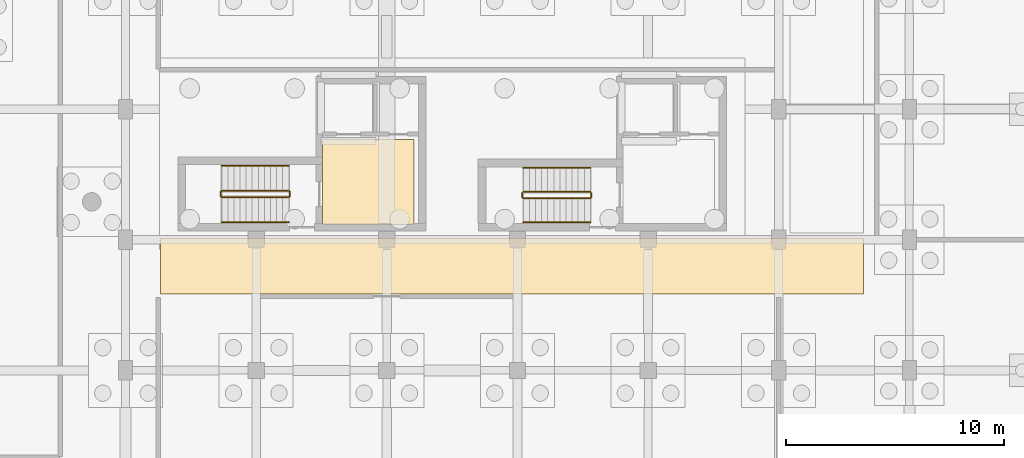
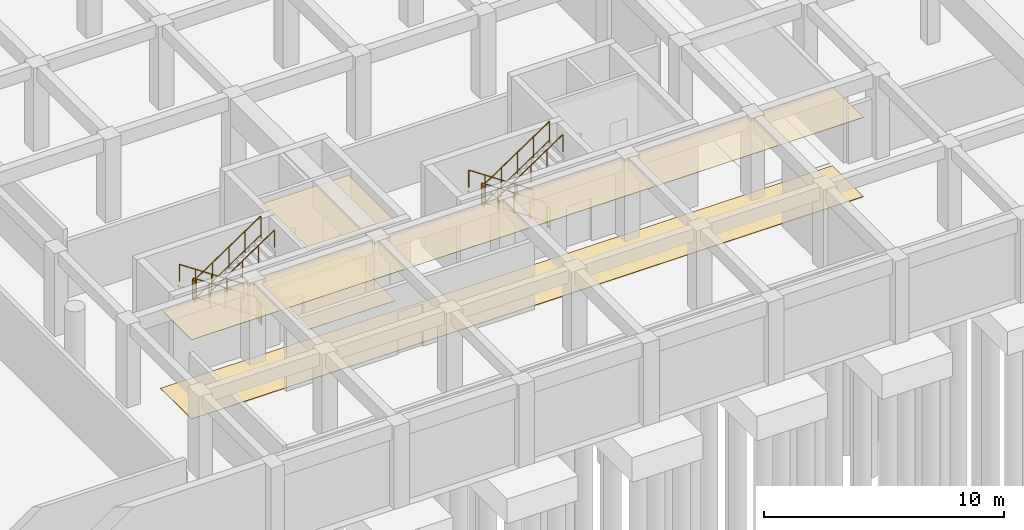
# One storey, part 37 of 41: 12 railings, 4 coverings.
"""IFC4 building model written with IfcOpenShell, lengths in metres."""

from ifc_helpers import new_model, si_unit, direction, frame, origin, origin_2d, place, context, subcontext, project, spatial, polyline, circle, outline, extrude, material, layer, layer_set, type_object, element, save


model = new_model("IFC4")

# Units and contexts
model_context = context("Model", 3, precision=1e-05, world=origin(), true_north=direction((0.0, 1.0)))
body_context = subcontext(model_context, "Body", "Model", "MODEL_VIEW")
ifc_project = project(units=[si_unit("LENGTHUNIT", "METRE"), si_unit("AREAUNIT", "SQUARE_METRE"), si_unit("VOLUMEUNIT", "CUBIC_METRE"), si_unit("PLANEANGLEUNIT", "RADIAN"), si_unit("MASSUNIT", "GRAM", prefix="KILO"), si_unit("POWERUNIT", "WATT"), si_unit("THERMODYNAMICTEMPERATUREUNIT", "KELVIN")], contexts=[model_context])

# Site, building, storey
site_placement = place(None, origin())
site = spatial("IfcSite", under=ifc_project, at=site_placement, CompositionType="ELEMENT")
building_placement = place(site_placement, origin())
building = spatial("IfcBuilding", under=site, at=building_placement, Name="Ruvembo Vaulted Housing Court", CompositionType="ELEMENT")
storey_placement = place(building_placement, frame((0.0, 0.0, -4.5)))
storey = spatial("IfcBuildingStorey", under=building, at=storey_placement, Name="B1", CompositionType="ELEMENT", Elevation=-4.5)

# Coverings
ifc_material_1 = material(Name="Perforated Mineral-Fibre Acoustic Tile", Category="gypsum")
ifc_layer_1 = layer(ifc_material_1, 0.02001953125, Name="Perforated Mineral-Fibre Acoustic Tile")
ifc_layer_set_1 = layer_set([ifc_layer_1], Name="Perforated Mineral-Fibre Acoustic Tile")
covering_type_1 = type_object("IfcCoveringType", Name="COV-CEIL-ACOUST", PredefinedType="CEILING", material=ifc_layer_set_1)
covering_1_placement = place(storey_placement, frame((0.0, 0.0, 4.02001953125)))
element("IfcCovering", 1, at=covering_1_placement, inside=storey, type_object=covering_type_1, Name="Protected Core Lobby C1 Ceiling", PredefinedType="CEILING", context=body_context, shape_type="SweptSolid", body=[
    extrude(outline(polyline([(115.25, 16.60009765625), (111.050048828125, 16.60009765625), (111.050048828125, 12.699951171875), (115.25, 12.699951171875), (115.25, 16.60009765625)])), origin(), (0.0, 0.0, 1.0), 0.02001953125),
])
covering_2_placement = place(storey_placement, frame((0.0, 0.0, 4.02001953125)))
element("IfcCovering", 2, at=covering_2_placement, inside=storey, type_object=covering_type_1, Name="Basement Block C Core Corridor Ceiling", PredefinedType="CEILING", context=body_context, shape_type="SweptSolid", body=[
    extrude(outline(polyline([(103.610107421875, 9.510009765625), (135.889892578125, 9.510009765625), (135.889892578125, 12.090087890625), (103.610107421875, 12.090087890625), (103.610107421875, 9.510009765625)])), origin(), (0.0, 0.0, 1.0), 0.02001953125),
])
ifc_material_2 = material(Name="Polished Cement-Aggregate Terrazzo", Category="stone")
ifc_layer_2 = layer(ifc_material_2, 0.02197265625, Name="Polished Cement-Aggregate Terrazzo")
ifc_layer_set_2 = layer_set([ifc_layer_2], Name="Polished Cement-Aggregate Terrazzo")
covering_type_2 = type_object("IfcCoveringType", Name="COV-FLR-CERAMIC", PredefinedType="FLOORING", material=ifc_layer_set_2)
covering_3_placement = place(storey_placement, origin())
element("IfcCovering", 3, at=covering_3_placement, inside=storey, type_object=covering_type_2, Name="Protected Core Lobby C1 Flooring", PredefinedType="FLOORING", context=body_context, shape_type="SweptSolid", body=[
    extrude(outline(polyline([(115.25, 16.60009765625), (111.050048828125, 16.60009765625), (111.050048828125, 12.699951171875), (115.25, 12.699951171875), (115.25, 16.60009765625)])), origin(), (0.0, 0.0, 1.0), 0.02197265625),
])
covering_4_placement = place(storey_placement, origin())
element("IfcCovering", 4, at=covering_4_placement, inside=storey, type_object=covering_type_2, Name="Basement Block C Core Corridor Flooring", PredefinedType="FLOORING", context=body_context, shape_type="SweptSolid", body=[
    extrude(outline(polyline([(103.610107421875, 9.510009765625), (135.889892578125, 9.510009765625), (135.889892578125, 12.090087890625), (103.610107421875, 12.090087890625), (103.610107421875, 9.510009765625)])), origin(), (0.0, 0.0, 1.0), 0.02197265625),
])

# Railings
ifc_material_3 = material(Name="Painted Galvanised Steel S275", Category="steel")
ifc_layer_3 = layer(ifc_material_3, 0.06005859375, Name="Painted Galvanised Steel S275")
ifc_layer_set_3 = layer_set([ifc_layer_3], Name="Painted Galvanised Steel S275")
railing_type_1 = type_object("IfcRailingType", Name="RL-STAIR-GR1100", PredefinedType="GUARDRAIL", material=ifc_layer_set_3)
railing_1_placement = place(storey_placement, frame((109.5, 14.25, 0.1875)))
element("IfcRailing", 5, at=railing_1_placement, inside=storey, type_object=railing_type_1, Name="B1 ST-C1 stair guard 1", PredefinedType="GUARDRAIL", context=body_context, shape_type="SweptSolid", body=[
    extrude(circle(Radius=0.02392578125, at=origin_2d()), frame((0.0, 0.0, 1.076171875), z_axis=(-0.830913701846, 0.0, 0.55640131208), x_axis=(0.0, -1.0, 0.0)), (0.0, 0.0, 1.0), 3.706787109375),
    extrude(circle(Radius=0.01806640625, at=origin_2d()), frame((0.0, 0.0, 0.1201171875), z_axis=(-0.830913701846, 0.0, 0.55640131208), x_axis=(0.0, -1.0, 0.0)), (0.0, 0.0, 1.0), 3.706787109375),
    extrude(circle(Radius=0.02099609375, at=origin_2d()), origin(), (0.0, 0.0, 1.0), 1.052001953125),
    extrude(circle(Radius=0.02099609375, at=origin_2d()), frame((-0.77001953125, 0.0, 0.515625)), (0.0, 0.0, 1.0), 1.052001953125),
    extrude(circle(Radius=0.02099609375, at=origin_2d()), frame((-1.5400390625, 0.0, 1.03125)), (0.0, 0.0, 1.0), 1.052001953125),
    extrude(circle(Radius=0.02099609375, at=origin_2d()), frame((-2.31005859375, 0.0, 1.546875)), (0.0, 0.0, 1.0), 1.052001953125),
    extrude(circle(Radius=0.02099609375, at=origin_2d()), frame((-3.080078125, 0.0, 2.0625)), (0.0, 0.0, 1.0), 1.052001953125),
])
railing_2_placement = place(storey_placement, frame((106.3701171875, 14.199951171875, 2.25)))
element("IfcRailing", 6, at=railing_2_placement, inside=storey, type_object=railing_type_1, Name="B1 ST-C1 stair guard 2", PredefinedType="GUARDRAIL", context=body_context, shape_type="SweptSolid", body=[
    extrude(circle(Radius=0.02392578125, at=origin_2d()), frame((0.0, 0.0, 1.076171875), z_axis=(0.0, -1.0, 0.0), x_axis=(1.0, 0.0, 0.0)), (0.0, 0.0, 1.0), 0.199951171875),
    extrude(circle(Radius=0.01806640625, at=origin_2d()), frame((0.0, 0.0, 0.1201171875), z_axis=(0.0, -1.0, 0.0), x_axis=(1.0, 0.0, 0.0)), (0.0, 0.0, 1.0), 0.199951171875),
    extrude(circle(Radius=0.02099609375, at=origin_2d()), origin(), (0.0, 0.0, 1.0), 1.052001953125),
    extrude(circle(Radius=0.02099609375, at=origin_2d()), frame((0.0, -0.199951171875, 0.0)), (0.0, 0.0, 1.0), 1.052001953125),
])
railing_3_placement = place(storey_placement, frame((106.419921875, 13.949951171875, 2.4375)))
element("IfcRailing", 7, at=railing_3_placement, inside=storey, type_object=railing_type_1, Name="B1 ST-C1 stair guard 3", PredefinedType="GUARDRAIL", context=body_context, shape_type="SweptSolid", body=[
    extrude(circle(Radius=0.02392578125, at=origin_2d()), frame((0.0, 0.0, 1.076171875), z_axis=(0.830913701846, 0.0, 0.55640131208), x_axis=(0.0, 1.0, 0.0)), (0.0, 0.0, 1.0), 3.706787109375),
    extrude(circle(Radius=0.01806640625, at=origin_2d()), frame((0.0, 0.0, 0.1201171875), z_axis=(0.830913701846, 0.0, 0.55640131208), x_axis=(0.0, 1.0, 0.0)), (0.0, 0.0, 1.0), 3.706787109375),
    extrude(circle(Radius=0.02099609375, at=origin_2d()), origin(), (0.0, 0.0, 1.0), 1.052001953125),
    extrude(circle(Radius=0.02099609375, at=origin_2d()), frame((0.77001953125, 0.0, 0.515625)), (0.0, 0.0, 1.0), 1.052001953125),
    extrude(circle(Radius=0.02099609375, at=origin_2d()), frame((1.5400390625, 0.0, 1.03125)), (0.0, 0.0, 1.0), 1.052001953125),
    extrude(circle(Radius=0.02099609375, at=origin_2d()), frame((2.31005859375, 0.0, 1.546875)), (0.0, 0.0, 1.0), 1.052001953125),
    extrude(circle(Radius=0.02099609375, at=origin_2d()), frame((3.080078125, 0.0, 2.0625)), (0.0, 0.0, 1.0), 1.052001953125),
])
railing_4_placement = place(storey_placement, frame((109.550048828125, 14.199951171875, 0.0)))
element("IfcRailing", 8, at=railing_4_placement, inside=storey, type_object=railing_type_1, Name="B1 ST-C1 stair guard 4", PredefinedType="GUARDRAIL", context=body_context, shape_type="SweptSolid", body=[
    extrude(circle(Radius=0.02392578125, at=origin_2d()), frame((0.0, 0.0, 1.076171875), z_axis=(0.0, -1.0, 0.0), x_axis=(1.0, 0.0, 0.0)), (0.0, 0.0, 1.0), 0.199951171875),
    extrude(circle(Radius=0.01806640625, at=origin_2d()), frame((0.0, 0.0, 0.1201171875), z_axis=(0.0, -1.0, 0.0), x_axis=(1.0, 0.0, 0.0)), (0.0, 0.0, 1.0), 0.199951171875),
    extrude(circle(Radius=0.02099609375, at=origin_2d()), origin(), (0.0, 0.0, 1.0), 1.052001953125),
    extrude(circle(Radius=0.02099609375, at=origin_2d()), frame((0.0, -0.199951171875, 0.0)), (0.0, 0.0, 1.0), 1.052001953125),
])
railing_5_placement = place(storey_placement, frame((123.35009765625, 14.199951171875, 0.1875)))
element("IfcRailing", 9, at=railing_5_placement, inside=storey, type_object=railing_type_1, Name="B1 ST-C2 stair guard 1", PredefinedType="GUARDRAIL", context=body_context, shape_type="SweptSolid", body=[
    extrude(circle(Radius=0.02392578125, at=origin_2d()), frame((0.0, 0.0, 1.076171875), z_axis=(-0.830913701846, 0.0, 0.55640131208), x_axis=(0.0, -1.0, 0.0)), (0.0, 0.0, 1.0), 3.706787109375),
    extrude(circle(Radius=0.01806640625, at=origin_2d()), frame((0.0, 0.0, 0.1201171875), z_axis=(-0.830913701846, 0.0, 0.55640131208), x_axis=(0.0, -1.0, 0.0)), (0.0, 0.0, 1.0), 3.706787109375),
    extrude(circle(Radius=0.02099609375, at=origin_2d()), origin(), (0.0, 0.0, 1.0), 1.052001953125),
    extrude(circle(Radius=0.02099609375, at=origin_2d()), frame((-0.77001953125, 0.0, 0.515625)), (0.0, 0.0, 1.0), 1.052001953125),
    extrude(circle(Radius=0.02099609375, at=origin_2d()), frame((-1.5400390625, 0.0, 1.03125)), (0.0, 0.0, 1.0), 1.052001953125),
    extrude(circle(Radius=0.02099609375, at=origin_2d()), frame((-2.31005859375, 0.0, 1.546875)), (0.0, 0.0, 1.0), 1.052001953125),
    extrude(circle(Radius=0.02099609375, at=origin_2d()), frame((-3.080078125, 0.0, 2.0625)), (0.0, 0.0, 1.0), 1.052001953125),
])
railing_6_placement = place(storey_placement, frame((120.219970703125, 14.14990234375, 2.25)))
element("IfcRailing", 10, at=railing_6_placement, inside=storey, type_object=railing_type_1, Name="B1 ST-C2 stair guard 2", PredefinedType="GUARDRAIL", context=body_context, shape_type="SweptSolid", body=[
    extrude(circle(Radius=0.02392578125, at=origin_2d()), frame((0.0, 0.0, 1.076171875), z_axis=(0.0, -1.0, 0.0), x_axis=(1.0, 0.0, 0.0)), (0.0, 0.0, 1.0), 0.199951171875),
    extrude(circle(Radius=0.01806640625, at=origin_2d()), frame((0.0, 0.0, 0.1201171875), z_axis=(0.0, -1.0, 0.0), x_axis=(1.0, 0.0, 0.0)), (0.0, 0.0, 1.0), 0.199951171875),
    extrude(circle(Radius=0.02099609375, at=origin_2d()), origin(), (0.0, 0.0, 1.0), 1.052001953125),
    extrude(circle(Radius=0.02099609375, at=origin_2d()), frame((0.0, -0.199951171875, 0.0)), (0.0, 0.0, 1.0), 1.052001953125),
])
railing_7_placement = place(storey_placement, frame((120.27001953125, 13.89990234375, 2.4375)))
element("IfcRailing", 11, at=railing_7_placement, inside=storey, type_object=railing_type_1, Name="B1 ST-C2 stair guard 3", PredefinedType="GUARDRAIL", context=body_context, shape_type="SweptSolid", body=[
    extrude(circle(Radius=0.02392578125, at=origin_2d()), frame((0.0, 0.0, 1.076171875), z_axis=(0.830913701846, 0.0, 0.55640131208), x_axis=(0.0, 1.0, 0.0)), (0.0, 0.0, 1.0), 3.706787109375),
    extrude(circle(Radius=0.01806640625, at=origin_2d()), frame((0.0, 0.0, 0.1201171875), z_axis=(0.830913701846, 0.0, 0.55640131208), x_axis=(0.0, 1.0, 0.0)), (0.0, 0.0, 1.0), 3.706787109375),
    extrude(circle(Radius=0.02099609375, at=origin_2d()), origin(), (0.0, 0.0, 1.0), 1.052001953125),
    extrude(circle(Radius=0.02099609375, at=origin_2d()), frame((0.77001953125, 0.0, 0.515625)), (0.0, 0.0, 1.0), 1.052001953125),
    extrude(circle(Radius=0.02099609375, at=origin_2d()), frame((1.5400390625, 0.0, 1.03125)), (0.0, 0.0, 1.0), 1.052001953125),
    extrude(circle(Radius=0.02099609375, at=origin_2d()), frame((2.31005859375, 0.0, 1.546875)), (0.0, 0.0, 1.0), 1.052001953125),
    extrude(circle(Radius=0.02099609375, at=origin_2d()), frame((3.080078125, 0.0, 2.0625)), (0.0, 0.0, 1.0), 1.052001953125),
])
railing_8_placement = place(storey_placement, frame((123.39990234375, 14.14990234375, 0.0)))
element("IfcRailing", 12, at=railing_8_placement, inside=storey, type_object=railing_type_1, Name="B1 ST-C2 stair guard 4", PredefinedType="GUARDRAIL", context=body_context, shape_type="SweptSolid", body=[
    extrude(circle(Radius=0.02392578125, at=origin_2d()), frame((0.0, 0.0, 1.076171875), z_axis=(0.0, -1.0, 0.0), x_axis=(1.0, 0.0, 0.0)), (0.0, 0.0, 1.0), 0.199951171875),
    extrude(circle(Radius=0.01806640625, at=origin_2d()), frame((0.0, 0.0, 0.1201171875), z_axis=(0.0, -1.0, 0.0), x_axis=(1.0, 0.0, 0.0)), (0.0, 0.0, 1.0), 0.199951171875),
    extrude(circle(Radius=0.02099609375, at=origin_2d()), origin(), (0.0, 0.0, 1.0), 1.052001953125),
    extrude(circle(Radius=0.02099609375, at=origin_2d()), frame((0.0, -0.199951171875, 0.0)), (0.0, 0.0, 1.0), 1.052001953125),
])
ifc_material_4 = material(Name="Brushed Stainless Steel 304", Category="steel")
ifc_layer_4 = layer(ifc_material_4, 0.050048828125, Name="Brushed Stainless Steel 304")
ifc_layer_set_4 = layer_set([ifc_layer_4], Name="Brushed Stainless Steel 304")
railing_type_2 = type_object("IfcRailingType", Name="RL-STAIR-HR920", PredefinedType="HANDRAIL", material=ifc_layer_set_4)
railing_9_placement = place(storey_placement, frame((109.5, 15.39990234375, 0.379150390625)))
element("IfcRailing", 13, at=railing_9_placement, inside=storey, type_object=railing_type_2, Name="B1 ST-C1 stair handrail 1", PredefinedType="HANDRAIL", context=body_context, shape_type="SweptSolid", body=[
    extrude(circle(Radius=0.02392578125, at=origin_2d()), frame((0.0, 0.0, 0.8759765625), z_axis=(-0.830913701846, 0.0, 0.55640131208), x_axis=(0.0, -1.0, 0.0)), (0.0, 0.0, 1.0), 3.706787109375),
    extrude(circle(Radius=0.02099609375, at=origin_2d()), origin(), (0.0, 0.0, 1.0), 0.851806640625),
    extrude(circle(Radius=0.02099609375, at=origin_2d()), frame((-0.77001953125, 0.0, 0.515625)), (0.0, 0.0, 1.0), 0.851806640625),
    extrude(circle(Radius=0.02099609375, at=origin_2d()), frame((-1.5400390625, 0.0, 1.03125)), (0.0, 0.0, 1.0), 0.851806640625),
    extrude(circle(Radius=0.02099609375, at=origin_2d()), frame((-2.31005859375, 0.0, 1.546875)), (0.0, 0.0, 1.0), 0.851806640625),
    extrude(circle(Radius=0.02099609375, at=origin_2d()), frame((-3.080078125, 0.0, 2.0625)), (0.0, 0.0, 1.0), 0.851806640625),
])
railing_10_placement = place(storey_placement, frame((106.419921875, 12.800048828125, 2.629150390625)))
element("IfcRailing", 14, at=railing_10_placement, inside=storey, type_object=railing_type_2, Name="B1 ST-C1 stair handrail 2", PredefinedType="HANDRAIL", context=body_context, shape_type="SweptSolid", body=[
    extrude(circle(Radius=0.02392578125, at=origin_2d()), frame((0.0, 0.0, 0.8759765625), z_axis=(0.830913701846, 0.0, 0.55640131208), x_axis=(0.0, 1.0, 0.0)), (0.0, 0.0, 1.0), 3.706787109375),
    extrude(circle(Radius=0.02099609375, at=origin_2d()), origin(), (0.0, 0.0, 1.0), 0.851806640625),
    extrude(circle(Radius=0.02099609375, at=origin_2d()), frame((0.77001953125, 0.0, 0.515625)), (0.0, 0.0, 1.0), 0.851806640625),
    extrude(circle(Radius=0.02099609375, at=origin_2d()), frame((1.5400390625, 0.0, 1.03125)), (0.0, 0.0, 1.0), 0.851806640625),
    extrude(circle(Radius=0.02099609375, at=origin_2d()), frame((2.31005859375, 0.0, 1.546875)), (0.0, 0.0, 1.0), 0.851806640625),
    extrude(circle(Radius=0.02099609375, at=origin_2d()), frame((3.080078125, 0.0, 2.0625)), (0.0, 0.0, 1.0), 0.851806640625),
])
railing_11_placement = place(storey_placement, frame((123.35009765625, 15.300048828125, 0.379150390625)))
element("IfcRailing", 15, at=railing_11_placement, inside=storey, type_object=railing_type_2, Name="B1 ST-C2 stair handrail 1", PredefinedType="HANDRAIL", context=body_context, shape_type="SweptSolid", body=[
    extrude(circle(Radius=0.02392578125, at=origin_2d()), frame((0.0, 0.0, 0.8759765625), z_axis=(-0.830913701846, 0.0, 0.55640131208), x_axis=(0.0, -1.0, 0.0)), (0.0, 0.0, 1.0), 3.706787109375),
    extrude(circle(Radius=0.02099609375, at=origin_2d()), origin(), (0.0, 0.0, 1.0), 0.851806640625),
    extrude(circle(Radius=0.02099609375, at=origin_2d()), frame((-0.77001953125, 0.0, 0.515625)), (0.0, 0.0, 1.0), 0.851806640625),
    extrude(circle(Radius=0.02099609375, at=origin_2d()), frame((-1.5400390625, 0.0, 1.03125)), (0.0, 0.0, 1.0), 0.851806640625),
    extrude(circle(Radius=0.02099609375, at=origin_2d()), frame((-2.31005859375, 0.0, 1.546875)), (0.0, 0.0, 1.0), 0.851806640625),
    extrude(circle(Radius=0.02099609375, at=origin_2d()), frame((-3.080078125, 0.0, 2.0625)), (0.0, 0.0, 1.0), 0.851806640625),
])
railing_12_placement = place(storey_placement, frame((120.27001953125, 12.800048828125, 2.629150390625)))
element("IfcRailing", 16, at=railing_12_placement, inside=storey, type_object=railing_type_2, Name="B1 ST-C2 stair handrail 2", PredefinedType="HANDRAIL", context=body_context, shape_type="SweptSolid", body=[
    extrude(circle(Radius=0.02392578125, at=origin_2d()), frame((0.0, 0.0, 0.8759765625), z_axis=(0.830913701846, 0.0, 0.55640131208), x_axis=(0.0, 1.0, 0.0)), (0.0, 0.0, 1.0), 3.706787109375),
    extrude(circle(Radius=0.02099609375, at=origin_2d()), origin(), (0.0, 0.0, 1.0), 0.851806640625),
    extrude(circle(Radius=0.02099609375, at=origin_2d()), frame((0.77001953125, 0.0, 0.515625)), (0.0, 0.0, 1.0), 0.851806640625),
    extrude(circle(Radius=0.02099609375, at=origin_2d()), frame((1.5400390625, 0.0, 1.03125)), (0.0, 0.0, 1.0), 0.851806640625),
    extrude(circle(Radius=0.02099609375, at=origin_2d()), frame((2.31005859375, 0.0, 1.546875)), (0.0, 0.0, 1.0), 0.851806640625),
    extrude(circle(Radius=0.02099609375, at=origin_2d()), frame((3.080078125, 0.0, 2.0625)), (0.0, 0.0, 1.0), 0.851806640625),
])

save(model, "model.ifc")
